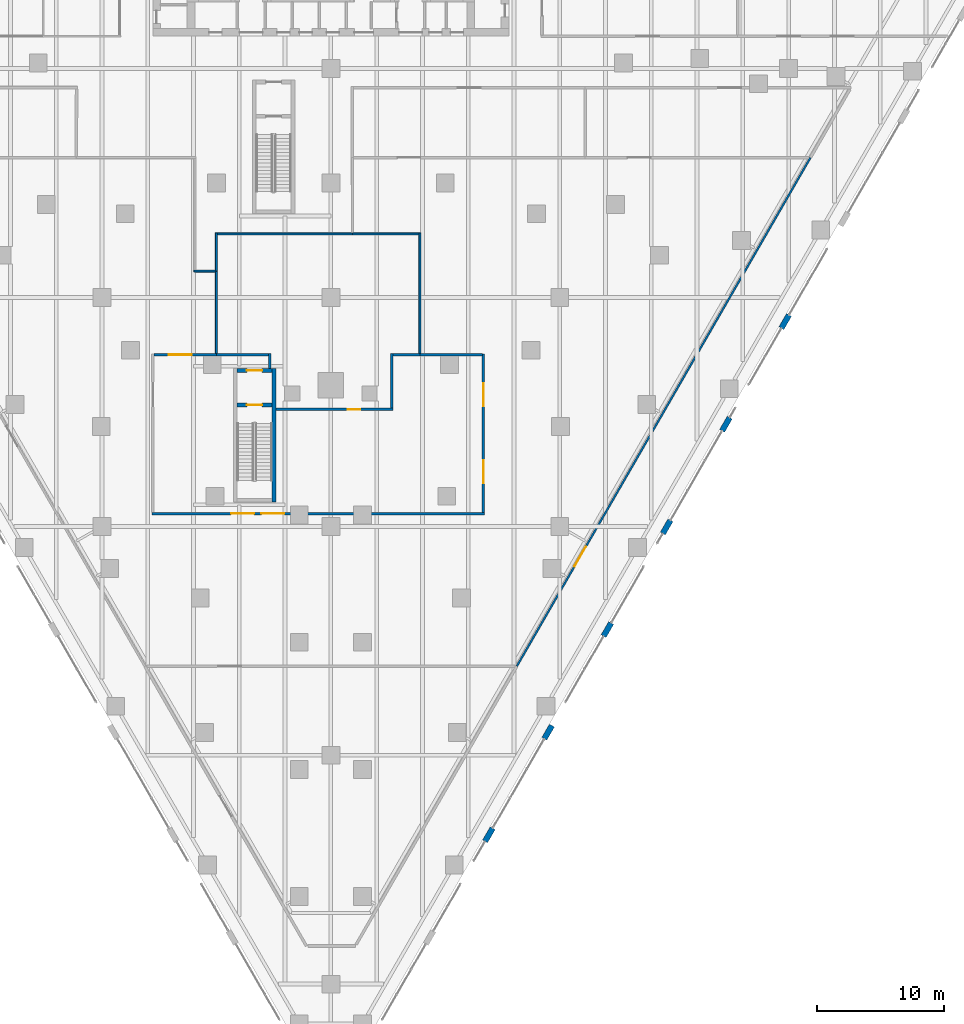
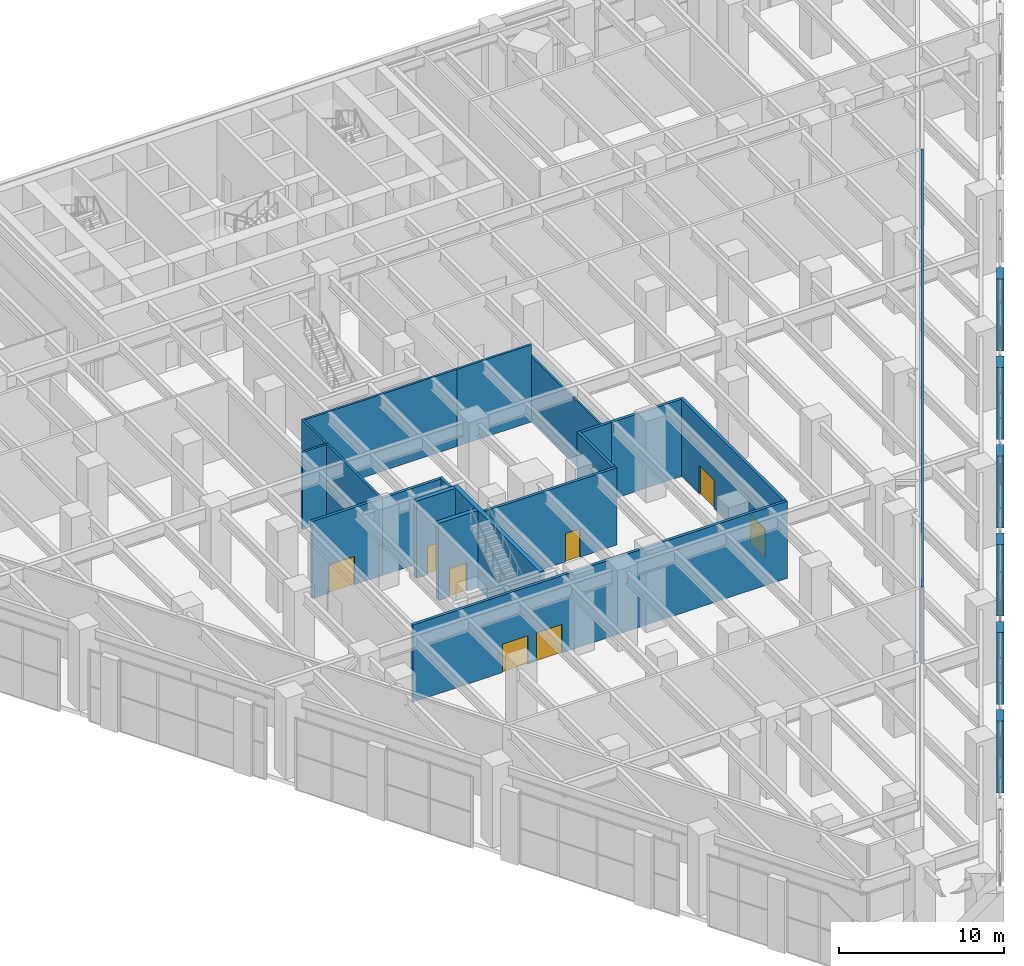
# One storey, part 30 of 37: 25 walls, 9 doors, 9 openings.
"""IFC4 building model written with IfcOpenShell, lengths in metres."""

from ifc_helpers import new_model, si_unit, direction, frame, frame_2d, origin, place, context, subcontext, project, spatial, rectangle, extrude, material, layer, layer_set, type_object, element, fill, save


model = new_model("IFC4")

# Units and contexts
model_context = context("Model", 3, precision=1e-05, world=origin(), true_north=direction((0.0, 1.0)))
body_context = subcontext(model_context, "Body", "Model", "MODEL_VIEW")
ifc_project = project(units=[si_unit("LENGTHUNIT", "METRE"), si_unit("AREAUNIT", "SQUARE_METRE"), si_unit("VOLUMEUNIT", "CUBIC_METRE"), si_unit("PLANEANGLEUNIT", "RADIAN"), si_unit("MASSUNIT", "GRAM", prefix="KILO")], contexts=[model_context])

# Site, building, storey
site_placement = place(None, origin())
site = spatial("IfcSite", under=ifc_project, at=site_placement, CompositionType="ELEMENT")
building_placement = place(site_placement, origin())
building = spatial("IfcBuilding", under=site, at=building_placement, Name="Aloe Facet Convention Tower", CompositionType="ELEMENT")
storey_placement = place(building_placement, frame((0.0, 0.0, 7.5)))
storey = spatial("IfcBuildingStorey", under=building, at=storey_placement, Name="L01", CompositionType="ELEMENT", Elevation=7.5)

# Wall
ifc_material_1 = material(Name="Concrete C50/60", Category="concrete")
ifc_layer_1 = layer(ifc_material_1, 0.300048828125)
ifc_layer_set_1 = layer_set([ifc_layer_1], Name="CR-W-RC300-C5060")
wall_type_1 = type_object("IfcWallType", Name="CR-W-RC300-C5060", PredefinedType="SOLIDWALL", material=ifc_layer_set_1)
wall_1_placement = place(storey_placement, frame((75.52490234375, 82.89990234375, 0.0), z_axis=(0.0, 0.0, 1.0), x_axis=(0.0, 1.0, 0.0)))
element("IfcWall", 1, at=wall_1_placement, inside=storey, type_object=wall_type_1, Name="Exit stair wall L01-02", PredefinedType="SOLIDWALL", context=body_context, shape_type="SweptSolid", body=[
    extrude(rectangle(XDim=10.5, YDim=0.300048828125, at=frame_2d((5.25, 0.0))), origin(), (0.0, 0.0, 1.0), 5.699951171875),
])

# Wall, opening, door
wall_2_placement = place(storey_placement, frame((72.625, 90.550048828125, 0.0), z_axis=(0.0, 0.0, 1.0), x_axis=(1.0, 0.0, 0.0)))
wall_2 = element("IfcWall", 2, at=wall_2_placement, inside=storey, type_object=wall_type_1, Name="Exit stair wall L01-04", PredefinedType="SOLIDWALL", context=body_context, shape_type="SweptSolid", body=[
    extrude(rectangle(XDim=2.75, YDim=0.300048828125, at=frame_2d((1.375, 0.0))), origin(), (0.0, 0.0, 1.0), 5.699951171875),
])
opening_1_placement = place(wall_2_placement, frame((0.77490234375, 0.0, 0.0)))
opening_1 = element("IfcOpeningElement", 3, at=opening_1_placement, cuts=wall_2, Name="Opening L01-ST4-01", PredefinedType="OPENING", context=body_context, shape_type="SweptSolid", body=[
    extrude(rectangle(XDim=1.199951171875, YDim=2.10009765625, at=frame_2d((0.60009765625, 1.050048828125))), frame((0.0, 0.16015625, 0.0), z_axis=(0.0, -1.0, 0.0), x_axis=(1.0, 0.0, 0.0)), (0.0, 0.0, 1.0), 0.320068359375),
])
ifc_material_2 = material(Name="Steel fire-resisting door set FD120", Category="steel")
door_type_1 = type_object("IfcDoorType", Name="CR-D-STAIR-1200-FD120-SLEFT", OperationType="SINGLE_SWING_LEFT", PredefinedType="DOOR", material=ifc_material_2)
door_1_placement = place(opening_1_placement, origin())
door_1 = element("IfcDoor", 4, at=door_1_placement, inside=storey, type_object=door_type_1, Name="Stair door L01-ST4-01", OperationType="SINGLE_SWING_LEFT", OverallHeight=2.10009765625, OverallWidth=1.199951171875, PredefinedType="DOOR", context=body_context, shape_type="SweptSolid", body=[
    extrude(rectangle(XDim=1.199951171875, YDim=2.10009765625, at=frame_2d((0.60009765625, 1.050048828125))), frame((0.0, 0.02490234375, 0.0), z_axis=(0.0, -1.0, 0.0), x_axis=(1.0, 0.0, 0.0)), (0.0, 0.0, 1.0), 0.050048828125),
])
fill(opening_1, door_1)

wall_3_placement = place(storey_placement, frame((72.625, 93.25, 0.0), z_axis=(0.0, 0.0, 1.0), x_axis=(1.0, 0.0, 0.0)))
wall_3 = element("IfcWall", 5, at=wall_3_placement, inside=storey, type_object=wall_type_1, Name="Exit stair wall L01-05", PredefinedType="SOLIDWALL", context=body_context, shape_type="SweptSolid", body=[
    extrude(rectangle(XDim=2.75, YDim=0.300048828125, at=frame_2d((1.375, 0.0))), origin(), (0.0, 0.0, 1.0), 5.699951171875),
])
opening_2_placement = place(wall_3_placement, frame((0.77490234375, 0.0, 0.0)))
opening_2 = element("IfcOpeningElement", 6, at=opening_2_placement, cuts=wall_3, Name="Opening L01-ST4-02", PredefinedType="OPENING", context=body_context, shape_type="SweptSolid", body=[
    extrude(rectangle(XDim=1.199951171875, YDim=2.10009765625, at=frame_2d((0.60009765625, 1.050048828125))), frame((0.0, 0.16015625, 0.0), z_axis=(0.0, -1.0, 0.0), x_axis=(1.0, 0.0, 0.0)), (0.0, 0.0, 1.0), 0.320068359375),
])
ifc_material_3 = material(Name="Steel fire-resisting door set FD60", Category="steel")
door_type_2 = type_object("IfcDoorType", Name="CR-D-EXIT-1200-FD60-SRIGHT", OperationType="SINGLE_SWING_RIGHT", PredefinedType="DOOR", material=ifc_material_3)
door_2_placement = place(opening_2_placement, origin())
door_2 = element("IfcDoor", 7, at=door_2_placement, inside=storey, type_object=door_type_2, Name="Stair lobby door L01-ST4-02", OperationType="SINGLE_SWING_RIGHT", OverallHeight=2.10009765625, OverallWidth=1.199951171875, PredefinedType="DOOR", context=body_context, shape_type="SweptSolid", body=[
    extrude(rectangle(XDim=1.199951171875, YDim=2.10009765625, at=frame_2d((0.60009765625, 1.050048828125))), frame((0.0, 0.02490234375, 0.0), z_axis=(0.0, -1.0, 0.0), x_axis=(1.0, 0.0, 0.0)), (0.0, 0.0, 1.0), 0.050048828125),
])
fill(opening_2, door_2)

# Walls
ifc_material_4 = material(Name="Precast concrete C40/50", Category="concrete")
ifc_layer_2 = layer(ifc_material_4, 0.449951171875)
ifc_layer_set_2 = layer_set([ifc_layer_2], Name="EV-WALL-STONE")
wall_type_2 = type_object("IfcWallType", Name="EV-WALL-STONE", PredefinedType="SOLIDWALL", material=ifc_layer_set_2)
for number, where, z_axis, x_axis, name in (
    (8, (92.12646484375, 56.224365234375, -0.300048828125), (0.0, 0.0, 1.0), (0.50012165622, 0.865955154139, 0.0), "PW-L01-E05"),
    (9, (96.787109375, 64.296875, -0.300048828125), (0.0, 0.0, 1.0), (0.50012165622, 0.865955154139, 0.0), "PW-L01-E07"),
):
    element("IfcWall", number, at=place(storey_placement, frame(where, z_axis=z_axis, x_axis=x_axis)), inside=storey, type_object=wall_type_2, Name=name, PredefinedType="SOLIDWALL", context=body_context, shape_type="SweptSolid", body=[
        extrude(rectangle(XDim=1.199951171875, YDim=0.449951171875, at=frame_2d((0.60009765625, 0.0))), origin(), (0.0, 0.0, 1.0), 5.3125),
    ])
wall_4_placement = place(storey_placement, frame((101.447998046875, 72.369384765625, -0.300048828125), z_axis=(0.0, 0.0, 1.0), x_axis=(0.499969057507, 0.866043267704, 0.0)))
element("IfcWall", 10, at=wall_4_placement, inside=storey, type_object=wall_type_2, Name="PW-L01-E09", PredefinedType="SOLIDWALL", context=body_context, shape_type="SweptSolid", body=[
    extrude(rectangle(XDim=1.19970703125, YDim=0.449951171875, at=frame_2d((0.599853515625, 0.0))), origin(), (0.0, 0.0, 1.0), 5.3125),
])
for number, where, z_axis, x_axis, name in (
    (11, (106.108642578125, 80.44189453125, -0.300048828125), (0.0, 0.0, 1.0), (0.499880961361, 0.866094119867, 0.0), "PW-L01-E11"),
    (12, (110.769287109375, 88.514404296875, -0.300048828125), (0.0, 0.0, 1.0), (0.499880961361, 0.866094119867, 0.0), "PW-L01-E13"),
):
    element("IfcWall", number, at=place(storey_placement, frame(where, z_axis=z_axis, x_axis=x_axis)), inside=storey, type_object=wall_type_2, Name=name, PredefinedType="SOLIDWALL", context=body_context, shape_type="SweptSolid", body=[
        extrude(rectangle(XDim=1.199951171875, YDim=0.449951171875, at=frame_2d((0.60009765625, 0.0))), origin(), (0.0, 0.0, 1.0), 5.3125),
    ])
wall_5_placement = place(storey_placement, frame((115.429931640625, 96.5869140625, -0.300048828125), z_axis=(0.0, 0.0, 1.0), x_axis=(0.500033551112, 0.866006032174, 0.0)))
element("IfcWall", 13, at=wall_5_placement, inside=storey, type_object=wall_type_2, Name="PW-L01-E15", PredefinedType="SOLIDWALL", context=body_context, shape_type="SweptSolid", body=[
    extrude(rectangle(XDim=1.2001953125, YDim=0.449951171875, at=frame_2d((0.60009765625, 0.0))), origin(), (0.0, 0.0, 1.0), 5.3125),
])

# Wall, openings, doors
ifc_material_5 = material(Name="Masonry blockwork wall, plastered", Category="masonry")
ifc_layer_3 = layer(ifc_material_5, 0.199951171875)
ifc_layer_set_3 = layer_set([ifc_layer_3], Name="IN-POD-W-ASSY")
wall_type_3 = type_object("IfcWallType", Name="IN-POD-W-ASSY", PredefinedType="PARTITIONING", material=ifc_layer_set_3)
wall_6_placement = place(storey_placement, frame((65.925537109375, 82.0, 0.0), z_axis=(0.0, 0.0, 1.0), x_axis=(1.0, 0.0, 0.0)))
wall_6 = element("IfcWall", 14, at=wall_6_placement, inside=storey, type_object=wall_type_3, Name="Partition L01-W006", PredefinedType="PARTITIONING", context=body_context, shape_type="SweptSolid", body=[
    extrude(rectangle(XDim=26.14892578125, YDim=0.199951171875, at=frame_2d((13.074462890625, 0.0))), origin(), (0.0, 0.0, 1.0), 5.699951171875),
])
opening_3_placement = place(wall_6_placement, frame((8.612060546875, 0.0, 0.0)))
opening_3 = element("IfcOpeningElement", 15, at=opening_3_placement, cuts=wall_6, Name="Opening L01-013", PredefinedType="OPENING", context=body_context, shape_type="SweptSolid", body=[
    extrude(rectangle(XDim=1.800048828125, YDim=2.10009765625, at=frame_2d((0.89990234375, 1.050048828125))), frame((0.0, 0.10986328125, 0.0), z_axis=(0.0, -1.0, 0.0), x_axis=(1.0, 0.0, 0.0)), (0.0, 0.0, 1.0), 0.219970703125),
])
opening_4_placement = place(wall_6_placement, frame((6.2373046875, 0.0, 0.0)))
opening_4 = element("IfcOpeningElement", 16, at=opening_4_placement, cuts=wall_6, Name="Opening L01-028", PredefinedType="OPENING", context=body_context, shape_type="SweptSolid", body=[
    extrude(rectangle(XDim=1.800048828125, YDim=2.10009765625, at=frame_2d((0.89990234375, 1.050048828125))), frame((0.0, 0.10986328125, 0.0), z_axis=(0.0, -1.0, 0.0), x_axis=(1.0, 0.0, 0.0)), (0.0, 0.0, 1.0), 0.219970703125),
])
ifc_material_6 = material(Name="Hardwood flush door pair", Category="wood")
door_type_3 = type_object("IfcDoorType", Name="IN-POD-D-PAIR", OperationType="DOUBLE_DOOR_SINGLE_SWING", PredefinedType="DOOR", material=ifc_material_6)
door_3_placement = place(opening_3_placement, origin())
door_3 = element("IfcDoor", 17, at=door_3_placement, inside=storey, type_object=door_type_3, Name="Door L01-013", OperationType="SINGLE_SWING_LEFT", OverallHeight=2.10009765625, OverallWidth=1.800048828125, PredefinedType="DOOR", context=body_context, shape_type="SweptSolid", body=[
    extrude(rectangle(XDim=1.800048828125, YDim=2.10009765625, at=frame_2d((0.89990234375, 1.050048828125))), frame((0.0, 0.02490234375, 0.0), z_axis=(0.0, -1.0, 0.0), x_axis=(1.0, 0.0, 0.0)), (0.0, 0.0, 1.0), 0.050048828125),
])
fill(opening_3, door_3)
door_4_placement = place(opening_4_placement, origin())
door_4 = element("IfcDoor", 18, at=door_4_placement, inside=storey, type_object=door_type_3, Name="Door L01-028", OperationType="SINGLE_SWING_LEFT", OverallHeight=2.10009765625, OverallWidth=1.800048828125, PredefinedType="DOOR", context=body_context, shape_type="SweptSolid", body=[
    extrude(rectangle(XDim=1.800048828125, YDim=2.10009765625, at=frame_2d((0.89990234375, 1.050048828125))), frame((0.0, 0.02490234375, 0.0), z_axis=(0.0, -1.0, 0.0), x_axis=(1.0, 0.0, 0.0)), (0.0, 0.0, 1.0), 0.050048828125),
])
fill(opening_4, door_4)

wall_7_placement = place(storey_placement, frame((91.99951171875, 82.0849609375, 0.0), z_axis=(0.0, 0.0, 1.0), x_axis=(3.9095334e-05, 0.999999999236, 0.0)))
wall_7 = element("IfcWall", 19, at=wall_7_placement, inside=storey, type_object=wall_type_3, Name="Partition L01-W007", PredefinedType="PARTITIONING", context=body_context, shape_type="SweptSolid", body=[
    extrude(rectangle(XDim=12.489501953125, YDim=0.199951171875, at=frame_2d((6.24462890625, 0.0))), origin(), (0.0, 0.0, 1.0), 5.699951171875),
])
opening_5_placement = place(wall_7_placement, frame((2.31787109375, 0.0, 0.0)))
opening_5 = element("IfcOpeningElement", 20, at=opening_5_placement, cuts=wall_7, Name="Opening L01-014", PredefinedType="OPENING", context=body_context, shape_type="SweptSolid", body=[
    extrude(rectangle(XDim=1.800048828125, YDim=2.10009765625, at=frame_2d((0.89990234375, 1.050048828125))), frame((0.0, 0.10986328125, 0.0), z_axis=(0.0, -1.0, 0.0), x_axis=(1.0, 0.0, 0.0)), (0.0, 0.0, 1.0), 0.219970703125),
])
opening_6_placement = place(wall_7_placement, frame((8.37158203125, 0.0, 0.0)))
opening_6 = element("IfcOpeningElement", 21, at=opening_6_placement, cuts=wall_7, Name="Opening L01-029", PredefinedType="OPENING", context=body_context, shape_type="SweptSolid", body=[
    extrude(rectangle(XDim=1.800048828125, YDim=2.10009765625, at=frame_2d((0.89990234375, 1.050048828125))), frame((0.0, 0.10986328125, 0.0), z_axis=(0.0, -1.0, 0.0), x_axis=(1.0, 0.0, 0.0)), (0.0, 0.0, 1.0), 0.219970703125),
])
door_5_placement = place(opening_5_placement, origin())
door_5 = element("IfcDoor", 22, at=door_5_placement, inside=storey, type_object=door_type_3, Name="Door L01-014", OperationType="SINGLE_SWING_LEFT", OverallHeight=2.10009765625, OverallWidth=1.800048828125, PredefinedType="DOOR", context=body_context, shape_type="SweptSolid", body=[
    extrude(rectangle(XDim=1.800048828125, YDim=2.10009765625, at=frame_2d((0.89990234375, 1.050048828125))), frame((0.0, 0.02490234375, 0.0), z_axis=(0.0, -1.0, 0.0), x_axis=(1.0, 0.0, 0.0)), (0.0, 0.0, 1.0), 0.050048828125),
])
fill(opening_5, door_5)
door_6_placement = place(opening_6_placement, origin())
door_6 = element("IfcDoor", 23, at=door_6_placement, inside=storey, type_object=door_type_3, Name="Door L01-029", OperationType="SINGLE_SWING_LEFT", OverallHeight=2.10009765625, OverallWidth=1.800048828125, PredefinedType="DOOR", context=body_context, shape_type="SweptSolid", body=[
    extrude(rectangle(XDim=1.800048828125, YDim=2.10009765625, at=frame_2d((0.89990234375, 1.050048828125))), frame((0.0, 0.02490234375, 0.0), z_axis=(0.0, -1.0, 0.0), x_axis=(1.0, 0.0, 0.0)), (0.0, 0.0, 1.0), 0.050048828125),
])
fill(opening_6, door_6)

# Wall, opening, door
wall_8_placement = place(storey_placement, frame((75.695068359375, 90.199951171875, 0.0), z_axis=(0.0, 0.0, 1.0), x_axis=(1.0, 0.0, 0.0)))
wall_8 = element("IfcWall", 24, at=wall_8_placement, inside=storey, type_object=wall_type_3, Name="Partition L01-W008", PredefinedType="PARTITIONING", context=body_context, shape_type="SweptSolid", body=[
    extrude(rectangle(XDim=9.204833984375, YDim=0.199951171875, at=frame_2d((4.6025390625, 0.0))), origin(), (0.0, 0.0, 1.0), 5.699951171875),
])
opening_7_placement = place(wall_8_placement, frame((5.62353515625, 0.0, 0.0)))
opening_7 = element("IfcOpeningElement", 25, at=opening_7_placement, cuts=wall_8, Name="Opening L01-017", PredefinedType="OPENING", context=body_context, shape_type="SweptSolid", body=[
    extrude(rectangle(XDim=1.0, YDim=2.10009765625, at=frame_2d((0.5, 1.050048828125))), frame((0.0, 0.10986328125, 0.0), z_axis=(0.0, -1.0, 0.0), x_axis=(1.0, 0.0, 0.0)), (0.0, 0.0, 1.0), 0.219970703125),
])
ifc_material_7 = material(Name="Hardwood flush door", Category="wood")
door_type_4 = type_object("IfcDoorType", Name="IN-POD-D-WIDE", OperationType="SINGLE_SWING_LEFT", PredefinedType="DOOR", material=ifc_material_7)
door_7_placement = place(opening_7_placement, origin())
door_7 = element("IfcDoor", 26, at=door_7_placement, inside=storey, type_object=door_type_4, Name="Door L01-017", OperationType="SINGLE_SWING_LEFT", OverallHeight=2.10009765625, OverallWidth=1.0, PredefinedType="DOOR", context=body_context, shape_type="SweptSolid", body=[
    extrude(rectangle(XDim=1.0, YDim=2.10009765625, at=frame_2d((0.5, 1.050048828125))), frame((0.0, 0.02490234375, 0.0), z_axis=(0.0, -1.0, 0.0), x_axis=(1.0, 0.0, 0.0)), (0.0, 0.0, 1.0), 0.050048828125),
])
fill(opening_7, door_7)

# Wall
wall_9_placement = place(storey_placement, frame((75.199951171875, 93.419921875, 0.0), z_axis=(0.0, 0.0, 1.0), x_axis=(0.0, 1.0, 0.0)))
element("IfcWall", 27, at=wall_9_placement, inside=storey, type_object=wall_type_3, Name="Partition L01-W009", PredefinedType="PARTITIONING", context=body_context, shape_type="SweptSolid", body=[
    extrude(rectangle(XDim=1.18017578125, YDim=0.199951171875, at=frame_2d((0.590087890625, 0.0))), origin(), (0.0, 0.0, 1.0), 5.699951171875),
])

# Wall, opening, door
wall_10_placement = place(storey_placement, frame((66.0849609375, 94.49951171875, 0.0), z_axis=(0.0, 0.0, 1.0), x_axis=(0.999999995065, 9.9344327e-05, 0.0)))
wall_10 = element("IfcWall", 28, at=wall_10_placement, inside=storey, type_object=wall_type_3, Name="Partition L01-W011", PredefinedType="PARTITIONING", context=body_context, shape_type="SweptSolid", body=[
    extrude(rectangle(XDim=4.9150390625, YDim=0.199951171875, at=frame_2d((2.45751953125, 0.0))), origin(), (0.0, 0.0, 1.0), 5.699951171875),
])
opening_8_placement = place(wall_10_placement, frame((1.18017578125, 0.0, 0.0)))
opening_8 = element("IfcOpeningElement", 29, at=opening_8_placement, cuts=wall_10, Name="Opening L01-016", PredefinedType="OPENING", context=body_context, shape_type="SweptSolid", body=[
    extrude(rectangle(XDim=1.800048828125, YDim=2.10009765625, at=frame_2d((0.89990234375, 1.050048828125))), frame((0.0, 0.10986328125, 0.0), z_axis=(0.0, -1.0, 0.0), x_axis=(1.0, 0.0, 0.0)), (0.0, 0.0, 1.0), 0.219970703125),
])
door_8_placement = place(opening_8_placement, origin())
door_8 = element("IfcDoor", 30, at=door_8_placement, inside=storey, type_object=door_type_3, Name="Door L01-016", OperationType="SINGLE_SWING_LEFT", OverallHeight=2.10009765625, OverallWidth=1.800048828125, PredefinedType="DOOR", context=body_context, shape_type="SweptSolid", body=[
    extrude(rectangle(XDim=1.800048828125, YDim=2.10009765625, at=frame_2d((0.89990234375, 1.050048828125))), frame((0.0, 0.02490234375, 0.0), z_axis=(0.0, -1.0, 0.0), x_axis=(1.0, 0.0, 0.0)), (0.0, 0.0, 1.0), 0.050048828125),
])
fill(opening_8, door_8)

# Walls
wall_11_placement = place(storey_placement, frame((71.0, 94.5, 0.0), z_axis=(0.0, 0.0, 1.0), x_axis=(1.0, 0.0, 0.0)))
element("IfcWall", 31, at=wall_11_placement, inside=storey, type_object=wall_type_3, Name="Partition L01-W012", PredefinedType="PARTITIONING", context=body_context, shape_type="SweptSolid", body=[
    extrude(rectangle(XDim=4.10009765625, YDim=0.199951171875, at=frame_2d((2.050048828125, 0.0))), origin(), (0.0, 0.0, 1.0), 5.699951171875),
])
wall_12_placement = place(storey_placement, frame((84.800048828125, 90.300048828125, 0.0), z_axis=(0.0, 0.0, 1.0), x_axis=(0.0, 1.0, 0.0)))
element("IfcWall", 32, at=wall_12_placement, inside=storey, type_object=wall_type_3, Name="Partition L01-W013", PredefinedType="PARTITIONING", context=body_context, shape_type="SweptSolid", body=[
    extrude(rectangle(XDim=4.300048828125, YDim=0.199951171875, at=frame_2d((2.14990234375, 0.0))), origin(), (0.0, 0.0, 1.0), 5.699951171875),
])
wall_13_placement = place(storey_placement, frame((84.89990234375, 94.5, 0.0), z_axis=(0.0, 0.0, 1.0), x_axis=(1.0, 0.0, 0.0)))
element("IfcWall", 33, at=wall_13_placement, inside=storey, type_object=wall_type_3, Name="Partition L01-W014", PredefinedType="PARTITIONING", context=body_context, shape_type="SweptSolid", body=[
    extrude(rectangle(XDim=2.10009765625, YDim=0.199951171875, at=frame_2d((1.050048828125, 0.0))), origin(), (0.0, 0.0, 1.0), 5.699951171875),
])
wall_14_placement = place(storey_placement, frame((87.0, 94.5, 0.0), z_axis=(0.0, 0.0, 1.0), x_axis=(0.999999995065, -9.9344327e-05, 0.0)))
element("IfcWall", 34, at=wall_14_placement, inside=storey, type_object=wall_type_3, Name="Partition L01-W016", PredefinedType="PARTITIONING", context=body_context, shape_type="SweptSolid", body=[
    extrude(rectangle(XDim=4.9150390625, YDim=0.199951171875, at=frame_2d((2.45751953125, 0.0))), origin(), (0.0, 0.0, 1.0), 5.699951171875),
])
ifc_material_8 = material(Name="Gypsum board partition on steel studs, double layer", Category="steel")
ifc_layer_4 = layer(ifc_material_8, 0.14990234375)
ifc_layer_set_4 = layer_set([ifc_layer_4], Name="IN-POD-W-CORR")
wall_type_4 = type_object("IfcWallType", Name="IN-POD-W-CORR", PredefinedType="PARTITIONING", material=ifc_layer_set_4)
wall_15_placement = place(storey_placement, frame((87.0, 94.60009765625, 0.0), z_axis=(0.0, 0.0, 1.0), x_axis=(0.0, 1.0, 0.0)))
element("IfcWall", 35, at=wall_15_placement, inside=storey, type_object=wall_type_4, Name="Partition L01-W015", PredefinedType="PARTITIONING", context=body_context, shape_type="SweptSolid", body=[
    extrude(rectangle(XDim=9.474365234375, YDim=0.14990234375, at=frame_2d((4.7373046875, 0.0))), origin(), (0.0, 0.0, 1.0), 4.839111328125),
])
wall_16_placement = place(storey_placement, frame((71.0, 101.070068359375, 0.0), z_axis=(0.0, 0.0, 1.0), x_axis=(0.0, 1.0, 0.0)))
element("IfcWall", 36, at=wall_16_placement, inside=storey, type_object=wall_type_4, Name="Partition L01-W017", PredefinedType="PARTITIONING", context=body_context, shape_type="SweptSolid", body=[
    extrude(rectangle(XDim=3.0048828125, YDim=0.14990234375, at=frame_2d((1.50244140625, 0.0))), origin(), (0.0, 0.0, 1.0), 5.699951171875),
])
wall_17_placement = place(storey_placement, frame((69.23046875, 101.080322265625, 0.0), z_axis=(0.0, 0.0, 1.0), x_axis=(0.999983395145, -0.005762762686, 0.0)))
element("IfcWall", 37, at=wall_17_placement, inside=storey, type_object=wall_type_4, Name="Partition L01-W018", PredefinedType="PARTITIONING", context=body_context, shape_type="SweptSolid", body=[
    extrude(rectangle(XDim=1.694580078125, YDim=0.14990234375, at=frame_2d((0.84716796875, 0.0))), origin(), (0.0, 0.0, 1.0), 5.699951171875),
])
wall_18_placement = place(storey_placement, frame((71.0, 94.60009765625, 0.0), z_axis=(0.0, 0.0, 1.0), x_axis=(0.0, 1.0, 0.0)))
element("IfcWall", 38, at=wall_18_placement, inside=storey, type_object=wall_type_4, Name="Partition L01-W019", PredefinedType="PARTITIONING", context=body_context, shape_type="SweptSolid", body=[
    extrude(rectangle(XDim=6.469970703125, YDim=0.14990234375, at=frame_2d((3.23486328125, 0.0))), origin(), (0.0, 0.0, 1.0), 5.699951171875),
])
wall_19_placement = place(storey_placement, frame((71.074951171875, 104.0, 0.0), z_axis=(0.0, 0.0, 1.0), x_axis=(1.0, 0.0, 0.0)))
element("IfcWall", 39, at=wall_19_placement, inside=storey, type_object=wall_type_4, Name="Partition L01-W020", PredefinedType="PARTITIONING", context=body_context, shape_type="SweptSolid", body=[
    extrude(rectangle(XDim=10.630126953125, YDim=0.14990234375, at=frame_2d((5.31494140625, 0.0))), origin(), (0.0, 0.0, 1.0), 5.699951171875),
])
wall_20_placement = place(storey_placement, frame((81.705078125, 104.0, 0.0), z_axis=(0.0, 0.0, 1.0), x_axis=(0.999999995625, -9.3540994e-05, 0.0)))
element("IfcWall", 40, at=wall_20_placement, inside=storey, type_object=wall_type_4, Name="Partition L01-W022", PredefinedType="PARTITIONING", context=body_context, shape_type="SweptSolid", body=[
    extrude(rectangle(XDim=5.219970703125, YDim=0.14990234375, at=frame_2d((2.60986328125, 0.0))), origin(), (0.0, 0.0, 1.0), 5.699951171875),
])

# Wall, opening, door
wall_21_placement = place(storey_placement, frame((94.6240234375, 70.0, 0.0), z_axis=(0.0, 0.0, 1.0), x_axis=(0.499999730012, 0.866025559662, 0.0)))
wall_21 = element("IfcWall", 41, at=wall_21_placement, inside=storey, type_object=wall_type_4, Name="Partition L01-W030", PredefinedType="PARTITIONING", context=body_context, shape_type="SweptSolid", body=[
    extrude(rectangle(XDim=46.18798828125, YDim=0.14990234375, at=frame_2d((23.093994140625, 0.0))), origin(), (0.0, 0.0, 1.0), 5.699951171875),
])
opening_9_placement = place(wall_21_placement, frame((9.0576171875, 0.0, 0.0)))
opening_9 = element("IfcOpeningElement", 42, at=opening_9_placement, cuts=wall_21, Name="Opening L01-019", PredefinedType="OPENING", context=body_context, shape_type="SweptSolid", body=[
    extrude(rectangle(XDim=1.800048828125, YDim=2.10009765625, at=frame_2d((0.89990234375, 1.050048828125))), frame((0.0, 0.0849609375, 0.0), z_axis=(0.0, -1.0, 0.0), x_axis=(1.0, 0.0, 0.0)), (0.0, 0.0, 1.0), 0.169921875),
])
door_9_placement = place(opening_9_placement, origin())
door_9 = element("IfcDoor", 43, at=door_9_placement, inside=storey, type_object=door_type_3, Name="Door L01-019", OperationType="SINGLE_SWING_LEFT", OverallHeight=2.10009765625, OverallWidth=1.800048828125, PredefinedType="DOOR", context=body_context, shape_type="SweptSolid", body=[
    extrude(rectangle(XDim=1.800048828125, YDim=2.10009765625, at=frame_2d((0.89990234375, 1.050048828125))), frame((0.0, 0.02490234375, 0.0), z_axis=(0.0, -1.0, 0.0), x_axis=(1.0, 0.0, 0.0)), (0.0, 0.0, 1.0), 0.050048828125),
])
fill(opening_9, door_9)

save(model, "model.ifc")
